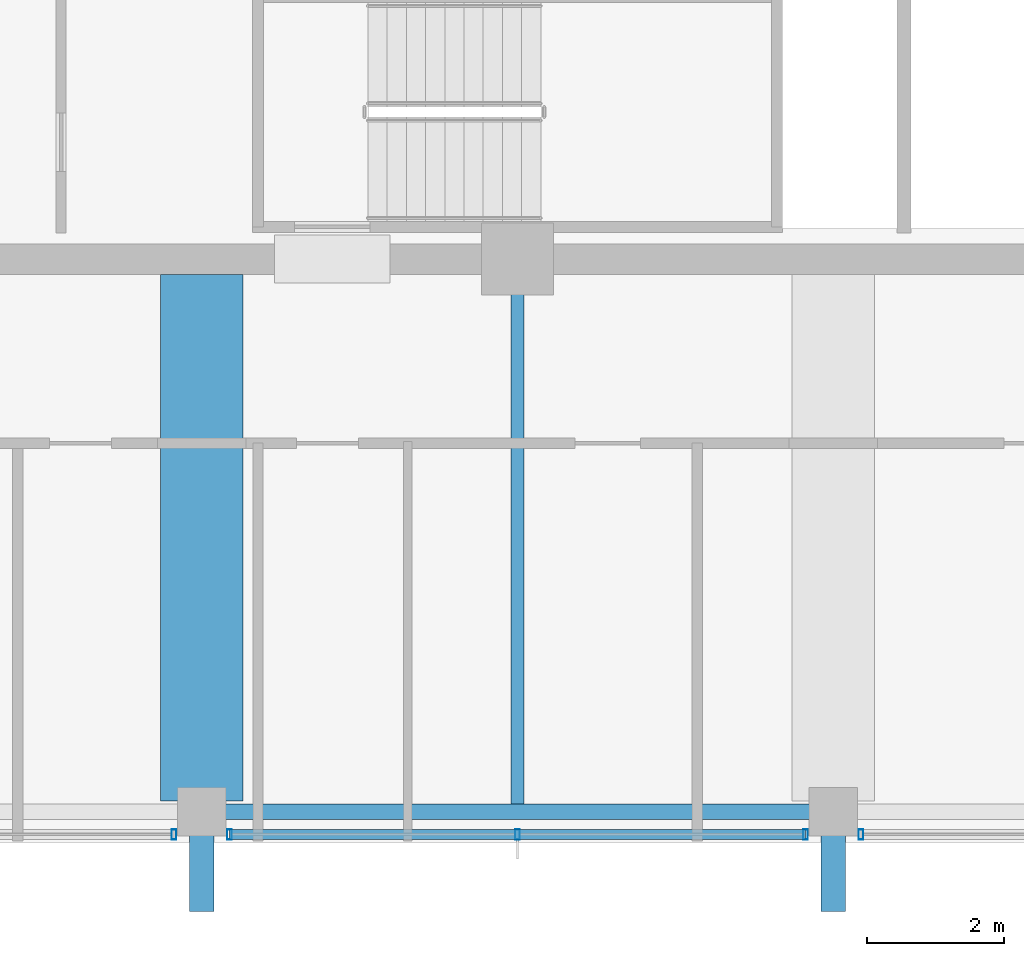
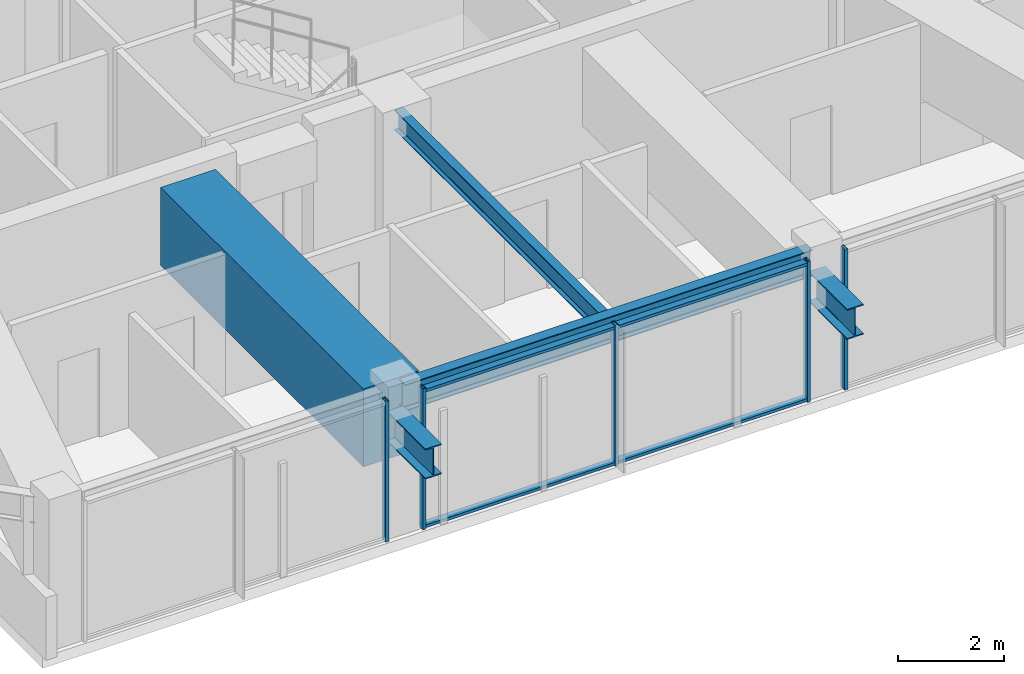
# One storey, part 5 of 31: 7 members, 5 beams, 3 elements without a shape of their own.
"""IFC4 building model written with IfcOpenShell, lengths in metres."""

from ifc_helpers import new_model, si_unit, direction, frame, origin, origin_2d, place, context, subcontext, project, spatial, rectangle, hollow_rectangle, i_section, extrude, material, material_profile, profile_set, type_object, element, aggregate, save


model = new_model("IFC4")

# Units and contexts
model_context = context("Model", 3, precision=1e-05, world=origin(), true_north=direction((0.0, 1.0)))
body_context = subcontext(model_context, "Body", "Model", "MODEL_VIEW")
ifc_project = project(units=[si_unit("LENGTHUNIT", "METRE"), si_unit("AREAUNIT", "SQUARE_METRE"), si_unit("VOLUMEUNIT", "CUBIC_METRE"), si_unit("PLANEANGLEUNIT", "RADIAN"), si_unit("MASSUNIT", "GRAM", prefix="KILO")], contexts=[model_context])

# Site, building, storey
site_placement = place(None, origin())
site = spatial("IfcSite", under=ifc_project, at=site_placement, CompositionType="ELEMENT")
building_placement = place(site_placement, origin())
building = spatial("IfcBuilding", under=site, at=building_placement, Name="Kolvaren Belvedere", CompositionType="ELEMENT")
storey_placement = place(building_placement, frame((0.0, 0.0, 237.39990234375)))
storey = spatial("IfcBuildingStorey", under=building, at=storey_placement, Name="L69", CompositionType="ELEMENT", Elevation=237.39990234375)

# Beams
ifc_material_1 = material(Name="Structural steel ASTM A992 Grade 50", Category="steel")
ifc_material_profile_1 = material_profile(ifc_material_1, i_section(OverallWidth=0.35498046875, OverallDepth=0.696044921875, WebThickness=0.015380859375, FlangeThickness=0.02490234375, FilletRadius=0.02197265625, at=origin_2d()), Name="W27X146")
ifc_profile_set_1 = profile_set([ifc_material_profile_1], Name="Structural steel ASTM A992 Grade 50")
beam_type_1 = type_object("IfcBeamType", Name="BM-CANT-BAL", PredefinedType="BEAM", material=ifc_profile_set_1)
for number, where, z_axis, x_axis, name in (
    (1, (4.60009765625, -17.949951171875, 2.342041015625), (0.0, -1.0, 0.0), (1.0, 0.0, 0.0), "L69 South Picture-Frame Column Corbel P"),
    (2, (-4.60009765625, -17.949951171875, 2.342041015625), (0.0, -1.0, 0.0), (1.0, 0.0, 0.0), "L69 South Picture-Frame Column Corbel M"),
):
    element("IfcBeam", number, at=place(storey_placement, frame(where, z_axis=z_axis, x_axis=x_axis)), inside=storey, type_object=beam_type_1, Name=name, PredefinedType="BEAM", context=body_context, shape_type="SweptSolid", body=[
        extrude(i_section(OverallWidth=0.35498046875, OverallDepth=0.696044921875, WebThickness=0.015380859375, FlangeThickness=0.02490234375, FilletRadius=0.02197265625, at=origin_2d()), origin(), (0.0, 0.0, 1.0), 1.449951171875),
    ])
ifc_material_2 = material(Name="Structural steel ASTM A992 Grade 50", Category="steel")
ifc_material_profile_2 = material_profile(ifc_material_2, i_section(OverallWidth=0.19091796875, OverallDepth=0.4599609375, WebThickness=0.010009765625, FlangeThickness=0.01611328125, FilletRadius=0.014892578125, at=origin_2d()), Name="W18X55")
ifc_profile_set_2 = profile_set([ifc_material_profile_2], Name="Structural steel ASTM A992 Grade 50")
beam_type_2 = type_object("IfcBeamType", Name="BM-JOIST-W18X55", PredefinedType="BEAM", material=ifc_profile_set_2)
beam_1_placement = place(storey_placement, frame((0.0, -10.125, 3.02001953125), z_axis=(0.0, -1.0, 0.0), x_axis=(1.0, 0.0, 0.0)))
element("IfcBeam", 3, at=beam_1_placement, inside=storey, type_object=beam_type_2, Name="L69 South Centre Floor Beam", PredefinedType="BEAM", context=body_context, shape_type="SweptSolid", body=[
    extrude(i_section(OverallWidth=0.19091796875, OverallDepth=0.4599609375, WebThickness=0.010009765625, FlangeThickness=0.01611328125, FilletRadius=0.014892578125, at=origin_2d()), origin(), (0.0, 0.0, 1.0), 7.71044921875),
])
ifc_material_3 = material(Name="Structural steel ASTM A992 Grade 50", Category="steel")
ifc_material_profile_3 = material_profile(ifc_material_3, i_section(OverallWidth=0.22900390625, OverallDepth=0.612060546875, WebThickness=0.011962890625, FlangeThickness=0.01953125, FilletRadius=0.01806640625, at=origin_2d()), Name="W24X84")
ifc_profile_set_3 = profile_set([ifc_material_profile_3], Name="Structural steel ASTM A992 Grade 50")
beam_type_3 = type_object("IfcBeamType", Name="BM-SPAN-W24X84", PredefinedType="SPANDREL", material=ifc_profile_set_3)
beam_2_placement = place(storey_placement, frame((-4.4423828125, -17.949951171875, 2.944091796875), z_axis=(1.0, 0.0, 0.0), x_axis=(0.0, 1.0, 0.0)))
element("IfcBeam", 4, at=beam_2_placement, inside=storey, type_object=beam_type_3, Name="L69 Perimeter Spandrel S2-S3", PredefinedType="SPANDREL", context=body_context, shape_type="SweptSolid", body=[
    extrude(i_section(OverallWidth=0.22900390625, OverallDepth=0.612060546875, WebThickness=0.011962890625, FlangeThickness=0.01953125, FilletRadius=0.01806640625, at=origin_2d()), origin(), (0.0, 0.0, 1.0), 8.884765625),
])
ifc_material_4 = material(Name="Concrete C50/60", Category="concrete")
ifc_material_profile_4 = material_profile(ifc_material_4, rectangle(XDim=1.199951171875, YDim=1.800048828125, at=origin_2d()), Name="RC 1200X1800")
ifc_profile_set_4 = profile_set([ifc_material_profile_4], Name="Concrete C50/60")
beam_type_4 = type_object("IfcBeamType", Name="BM-TG-1800", PredefinedType="BEAM", material=ifc_profile_set_4)
beam_3_placement = place(storey_placement, frame((-4.60009765625, -10.125, 2.35009765625), z_axis=(0.0, -1.0, 0.0), x_axis=(1.0, 0.0, 0.0)))
element("IfcBeam", 5, at=beam_3_placement, inside=storey, type_object=beam_type_4, Name="L69 South Radial Girder M", PredefinedType="BEAM", context=body_context, shape_type="SweptSolid", body=[
    extrude(rectangle(XDim=1.199951171875, YDim=1.800048828125, at=origin_2d()), origin(), (0.0, 0.0, 1.0), 7.66748046875),
])

# Curtain wall, member
ifc_material_5 = material(Name="Anodised pale-metal aluminium AA 6063-T6", Category="aluminium")
curtain_wall_type = type_object("IfcCurtainWallType", Name="CW-Z5-HIGH", PredefinedType="NOTDEFINED", material=ifc_material_5)
curtain_wall_1_placement = place(storey_placement, origin())
curtain_wall_1 = element("IfcCurtainWall", 6, at=curtain_wall_1_placement, inside=storey, type_object=curtain_wall_type, Name="L69 Unitised Curtain Wall FCW-L69-S-B1", PredefinedType="NOTDEFINED")
ifc_material_6 = material(Name="Anodised pale-metal aluminium AA 6063-T6", Category="aluminium")
ifc_material_profile_5 = material_profile(ifc_material_6, hollow_rectangle(XDim=0.070068359375, YDim=0.14990234375, WallThickness=0.004150390625, at=origin_2d()), Name="ALU-MUL-150X70")
ifc_profile_set_5 = profile_set([ifc_material_profile_5], Name="Anodised pale-metal aluminium AA 6063-T6")
member_type_1 = type_object("IfcMemberType", Name="CW-MUL-150", PredefinedType="MULLION", material=ifc_profile_set_5)
member_1_placement = place(storey_placement, frame((5.0048828125, -18.280029296875, 0.0), z_axis=(0.0, 0.0, 1.0), x_axis=(1.0, 0.0, 0.0)))
member_1 = element("IfcMember", 7, at=member_1_placement, type_object=member_type_1, Name="FCW-L69-S-B1 Unitised Mullion 3", PredefinedType="MULLION", context=body_context, shape_type="SweptSolid", body=[
    extrude(hollow_rectangle(XDim=0.070068359375, YDim=0.14990234375, WallThickness=0.004150390625, at=origin_2d()), origin(), (0.0, 0.0, 1.0), 3.25),
])
aggregate(curtain_wall_1, [member_1])

# Curtain wall, members
curtain_wall_2_placement = place(storey_placement, origin())
curtain_wall_2 = element("IfcCurtainWall", 8, at=curtain_wall_2_placement, inside=storey, type_object=curtain_wall_type, Name="L69 Unitised Curtain Wall FCW-L69-S-B2", PredefinedType="NOTDEFINED")
member_2_placement = place(storey_placement, frame((4.195068359375, -18.280029296875, 0.0), z_axis=(0.0, 0.0, 1.0), x_axis=(1.0, 0.0, 0.0)))
member_2 = element("IfcMember", 9, at=member_2_placement, type_object=member_type_1, Name="FCW-L69-S-B2 Unitised Mullion 1", PredefinedType="MULLION", context=body_context, shape_type="SweptSolid", body=[
    extrude(hollow_rectangle(XDim=0.070068359375, YDim=0.14990234375, WallThickness=0.004150390625, at=origin_2d()), origin(), (0.0, 0.0, 1.0), 3.25),
])
member_3_placement = place(storey_placement, frame((0.0, -18.280029296875, 0.0), z_axis=(0.0, 0.0, 1.0), x_axis=(1.0, 0.0, 0.0)))
member_3 = element("IfcMember", 10, at=member_3_placement, type_object=member_type_1, Name="FCW-L69-S-B2 Unitised Mullion 2", PredefinedType="MULLION", context=body_context, shape_type="SweptSolid", body=[
    extrude(hollow_rectangle(XDim=0.070068359375, YDim=0.14990234375, WallThickness=0.004150390625, at=origin_2d()), origin(), (0.0, 0.0, 1.0), 3.25),
])
member_4_placement = place(storey_placement, frame((-4.195068359375, -18.280029296875, 0.0), z_axis=(0.0, 0.0, 1.0), x_axis=(1.0, 0.0, 0.0)))
member_4 = element("IfcMember", 11, at=member_4_placement, type_object=member_type_1, Name="FCW-L69-S-B2 Unitised Mullion 3", PredefinedType="MULLION", context=body_context, shape_type="SweptSolid", body=[
    extrude(hollow_rectangle(XDim=0.070068359375, YDim=0.14990234375, WallThickness=0.004150390625, at=origin_2d()), origin(), (0.0, 0.0, 1.0), 3.25),
])

# Curtain wall, member
curtain_wall_3_placement = place(storey_placement, origin())
curtain_wall_3 = element("IfcCurtainWall", 12, at=curtain_wall_3_placement, inside=storey, type_object=curtain_wall_type, Name="L69 Unitised Curtain Wall FCW-L69-S-B3", PredefinedType="NOTDEFINED")
member_5_placement = place(storey_placement, frame((-5.0048828125, -18.280029296875, 0.0), z_axis=(0.0, 0.0, 1.0), x_axis=(1.0, 0.0, 0.0)))
member_5 = element("IfcMember", 13, at=member_5_placement, type_object=member_type_1, Name="FCW-L69-S-B3 Unitised Mullion 1", PredefinedType="MULLION", context=body_context, shape_type="SweptSolid", body=[
    extrude(hollow_rectangle(XDim=0.070068359375, YDim=0.14990234375, WallThickness=0.004150390625, at=origin_2d()), origin(), (0.0, 0.0, 1.0), 3.25),
])
aggregate(curtain_wall_3, [member_5])

# Member
ifc_material_7 = material(Name="Anodised pale-metal aluminium AA 6063-T6", Category="aluminium")
ifc_material_profile_6 = material_profile(ifc_material_7, hollow_rectangle(XDim=0.06494140625, YDim=0.14990234375, WallThickness=0.00390625, at=origin_2d()), Name="ALU-TRN-150X65")
ifc_profile_set_6 = profile_set([ifc_material_profile_6], Name="Anodised pale-metal aluminium AA 6063-T6")
member_type_2 = type_object("IfcMemberType", Name="CW-TRN-150", PredefinedType="USERDEFINED", material=ifc_profile_set_6)
member_6_placement = place(storey_placement, frame((4.195068359375, -18.280029296875, 0.06005859375), z_axis=(-1.0, 0.0, 0.0), x_axis=(0.0, 0.0, 1.0)))
member_6 = element("IfcMember", 14, at=member_6_placement, type_object=member_type_2, Name="FCW-L69-S-B2 Sill Transom", ObjectType="TRANSOM", PredefinedType="USERDEFINED", context=body_context, shape_type="SweptSolid", body=[
    extrude(hollow_rectangle(XDim=0.06494140625, YDim=0.14990234375, WallThickness=0.00390625, at=origin_2d()), origin(), (0.0, 0.0, 1.0), 8.39013671875),
])

member_7_placement = place(storey_placement, frame((4.195068359375, -18.280029296875, 3.190185546875), z_axis=(-1.0, 0.0, 0.0), x_axis=(0.0, 0.0, 1.0)))
member_7 = element("IfcMember", 15, at=member_7_placement, type_object=member_type_2, Name="FCW-L69-S-B2 Head Transom", ObjectType="TRANSOM", PredefinedType="USERDEFINED", context=body_context, shape_type="SweptSolid", body=[
    extrude(hollow_rectangle(XDim=0.06494140625, YDim=0.14990234375, WallThickness=0.00390625, at=origin_2d()), origin(), (0.0, 0.0, 1.0), 8.39013671875),
])

aggregate(curtain_wall_2, [member_2, member_3, member_4, member_6, member_7])

save(model, "model.ifc")
